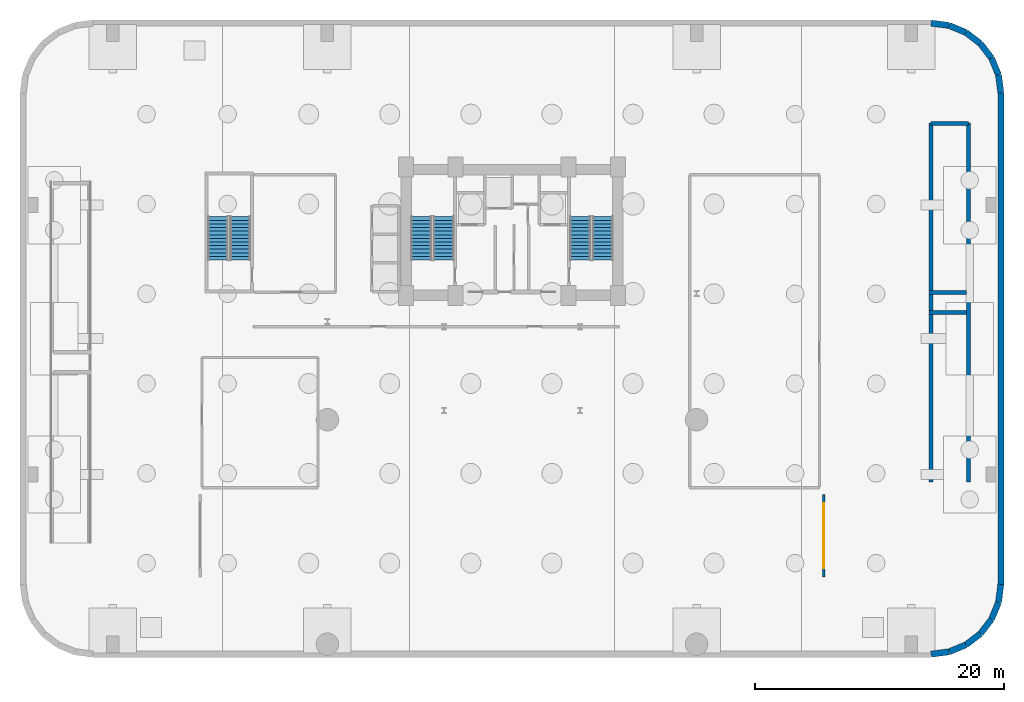
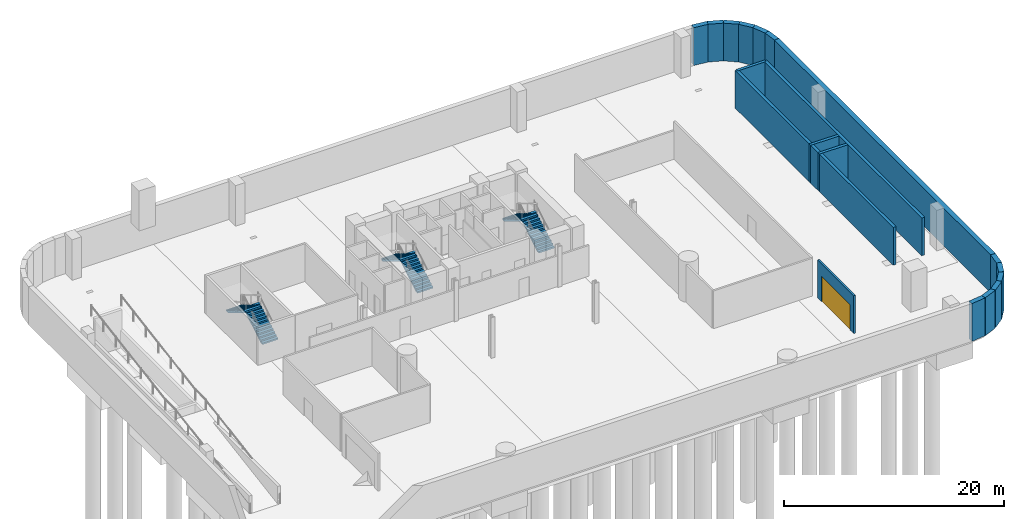
# One storey, part 5 of 8: 19 walls, 6 stair flights, 1 door, 1 opening, 3 elements without a shape of their own.
"""IFC4 building model written with IfcOpenShell, lengths in metres."""

import ifcopenshell
import ifcopenshell.guid

model = None  # the IFC model being written
_history = None  # IfcOwnerHistory: only IFC2X3 demands one
_inside = {}  # id of a spatial element -> (the spatial element, [elements in it])
_under = {}  # id of a project, library or spatial element -> (it, [spatial elements below it])
_declared = {}  # id of a project -> (the project, [libraries it declares])
_typed = {}  # id of a type object -> (the type object, [elements of that type])
_made_of = {}  # id of a material, layer set ... -> (it, [elements and type objects made of it])


def new_model(schema):
    """Start an empty IFC model of exactly this schema.

    Asked for "IFC4X3", IfcOpenShell would pick the latest addendum, in which some entities
    have other attributes; the version numbers below select the first issue.
    IFC2X3 requires an IfcOwnerHistory on every rooted entity: one is made here for all.
    """
    global model, _history
    if schema == "IFC4X3":
        model = ifcopenshell.file(schema_version=(4, 3, 0, 0))
    else:
        model = ifcopenshell.file(schema=schema)
    _inside.clear()
    _under.clear()
    _declared.clear()
    _typed.clear()
    _made_of.clear()
    _history = None
    if model.schema == "IFC2X3":
        org = make("IfcOrganization", Name="unknown")
        user = make(
            "IfcPersonAndOrganization",
            ThePerson=make("IfcPerson", FamilyName="unknown"),
            TheOrganization=org,
        )
        app = make(
            "IfcApplication",
            ApplicationDeveloper=org,
            Version="unknown",
            ApplicationFullName="unknown",
            ApplicationIdentifier="unknown",
        )
        _history = make(
            "IfcOwnerHistory",
            OwningUser=user,
            OwningApplication=app,
            ChangeAction="ADDED",
            CreationDate=0,
        )
    return model


def make(cls, **values):
    """One entity of the class cls with the attributes given. An attribute that is None is left unset."""
    return model.create_entity(
        cls, **{name: value for name, value in values.items() if value is not None}
    )


def rooted(cls, **values):
    """An entity with a GlobalId (a new one), such as an element, a storey or a relation."""
    return make(cls, GlobalId=ifcopenshell.guid.new(), OwnerHistory=_history, **values)


def si_unit(unit_type, name, prefix=None):
    """IfcSIUnit, for example si_unit("LENGTHUNIT", "METRE", prefix="MILLI")."""
    return make("IfcSIUnit", UnitType=unit_type, Prefix=prefix, Name=name)


def assignment(units):
    """IfcUnitAssignment: the units of a project."""
    return None if units is None else make("IfcUnitAssignment", Units=units)


def point(xyz):
    """IfcCartesianPoint."""
    return None if xyz is None else make("IfcCartesianPoint", Coordinates=xyz)


def direction(xyz):
    """IfcDirection."""
    return None if xyz is None else make("IfcDirection", DirectionRatios=xyz)


def frame(location, z_axis=None, x_axis=None):
    """IfcAxis2Placement3D, a coordinate frame: its origin and axes. An axis left out is left unset."""
    return make(
        "IfcAxis2Placement3D",
        Location=point(location),
        Axis=direction(z_axis),
        RefDirection=direction(x_axis),
    )


def frame_2d(location, x_axis=None):
    """IfcAxis2Placement2D, a coordinate frame in the plane: its origin and x axis."""
    return make(
        "IfcAxis2Placement2D", Location=point(location), RefDirection=direction(x_axis)
    )


def origin():
    """The frame at (0, 0, 0) with its axes left unset."""
    return frame((0.0, 0.0, 0.0))


def place(relative_to, where):
    """IfcLocalPlacement: puts the frame where relative to a parent placement (None: the world)."""
    return make(
        "IfcLocalPlacement", PlacementRelTo=relative_to, RelativePlacement=where
    )


def context(
    kind, dimensions, precision=None, world=None, true_north=None, identifier=None
):
    """IfcGeometricRepresentationContext, for example the 3D "Model" context."""
    return make(
        "IfcGeometricRepresentationContext",
        ContextIdentifier=identifier,
        ContextType=kind,
        CoordinateSpaceDimension=dimensions,
        Precision=precision,
        WorldCoordinateSystem=world,
        TrueNorth=true_north,
    )


def subcontext(parent, identifier, kind, view, scale=None):
    """IfcGeometricRepresentationSubContext, for example "Body" below "Model"."""
    return make(
        "IfcGeometricRepresentationSubContext",
        ContextIdentifier=identifier,
        ContextType=kind,
        ParentContext=parent,
        TargetScale=scale,
        TargetView=view,
    )


def project(units=None, contexts=None):
    """IfcProject with its units and contexts."""
    return rooted(
        "IfcProject",
        Name="project",
        RepresentationContexts=contexts,
        UnitsInContext=assignment(units),
    )


def spatial(cls, under=None, at=None, **own):
    """A site, building, storey or space (cls), placed at a placement, below another one or the project."""
    s = rooted(cls, ObjectPlacement=at, **own)
    if under is not None:
        _under.setdefault(under.id(), (under, []))[1].append(s)
    return s


def polyline(points):
    """IfcPolyline through the points."""
    return make("IfcPolyline", Points=[point(p) for p in points])


def profile(cls, at=None, kind="AREA", **sizes):
    """A parametric profile (cls). Its sizes go by their IFC names, for example OverallWidth=200.0."""
    return make(cls, ProfileType=kind, Position=at, **sizes)


def rectangle(**sizes):
    """IfcRectangleProfileDef."""
    return profile("IfcRectangleProfileDef", **sizes)


def outline(outer, holes=None, kind="AREA"):
    """IfcArbitraryClosedProfileDef: a profile drawn as a closed curve; with holes, ...WithVoids."""
    if holes is None:
        return make("IfcArbitraryClosedProfileDef", ProfileType=kind, OuterCurve=outer)
    return make(
        "IfcArbitraryProfileDefWithVoids",
        ProfileType=kind,
        OuterCurve=outer,
        InnerCurves=holes,
    )


def extrude(swept, where, along, depth):
    """IfcExtrudedAreaSolid: the profile swept, set in the frame where, extruded along a direction by depth."""
    return make(
        "IfcExtrudedAreaSolid",
        SweptArea=swept,
        Position=where,
        ExtrudedDirection=direction(along),
        Depth=depth,
    )


def shape(context_of_items, identifier, shape_type, items):
    """IfcShapeRepresentation: the items that make up one representation, for example the "Body"."""
    return make(
        "IfcShapeRepresentation",
        ContextOfItems=context_of_items,
        RepresentationIdentifier=identifier,
        RepresentationType=shape_type,
        Items=items,
    )


def material(Name=None, Category=None):
    """IfcMaterial."""
    return make("IfcMaterial", Name=Name, Category=Category)


def layer(
    of_material, thickness, ventilated=None, Name=None, Category=None, Priority=None
):
    """IfcMaterialLayer: one layer of a wall or slab, of a material (None: an air gap)."""
    return make(
        "IfcMaterialLayer",
        Material=of_material,
        LayerThickness=thickness,
        IsVentilated=ventilated,
        Name=Name,
        Category=Category,
        Priority=Priority,
    )


def layer_set(layers, Name=None):
    """IfcMaterialLayerSet."""
    return make("IfcMaterialLayerSet", MaterialLayers=layers, LayerSetName=Name)


def made_of(thing, what):
    """Note that an element or type object is made of a material, layer set ...; save() writes the relation."""
    if what is not None:
        _made_of.setdefault(what.id(), (what, []))[1].append(thing)
    return thing


def type_object(cls, material=None, **own):
    """A type object (cls), such as IfcWallType, which elements share."""
    return made_of(rooted(cls, **own), material)


def element(
    cls,
    number,
    at=None,
    inside=None,
    cuts=None,
    type_object=None,
    material=None,
    context=None,
    identifier="Body",
    shape_type=None,
    held_by="IfcProductDefinitionShape",
    body=None,
    shapes=None,
    **own,
):
    """One element of the class cls, such as IfcWall. Its Tag is "e" and its number.

    at: its placement. inside: the storey or other place that contains it. cuts: it is an
    opening in that element (IfcRelVoidsElement). A single representation is given by context,
    identifier, shape_type and body (its items); several are given by shapes. held_by: the class
    of the entity that holds the representations. save() writes the other relations.
    """
    e = rooted(cls, Tag="e%d" % number, ObjectPlacement=at, **own)
    if body is not None:
        shapes = [shape(context, identifier, shape_type, body)]
    if shapes is not None:
        e.Representation = make(held_by, Representations=shapes)
    if inside is not None:
        _inside.setdefault(inside.id(), (inside, []))[1].append(e)
    if cuts is not None:
        rooted(
            "IfcRelVoidsElement", RelatingBuildingElement=cuts, RelatedOpeningElement=e
        )
    if type_object is not None:
        _typed.setdefault(type_object.id(), (type_object, []))[1].append(e)
    return made_of(e, material)


def fill(opening, filler):
    """IfcRelFillsElement: the door or window that sits in an opening."""
    return rooted(
        "IfcRelFillsElement",
        RelatingOpeningElement=opening,
        RelatedBuildingElement=filler,
    )


def aggregate(whole, parts):
    """IfcRelAggregates: a whole, such as a stair, and the parts it consists of."""
    return rooted("IfcRelAggregates", RelatingObject=whole, RelatedObjects=parts)


def save(model, path):
    """Write the relations noted so far, then the file.

    IfcRelAggregates (storeys below a building ...), IfcRelContainedInSpatialStructure (elements
    in a storey), IfcRelDefinesByType, IfcRelAssociatesMaterial and IfcRelDeclares: one each for
    every whole, place, type object, material and project.
    """
    for whole, parts in _under.values():
        aggregate(whole, parts)
    for where, things in _inside.values():
        rooted(
            "IfcRelContainedInSpatialStructure",
            RelatedElements=things,
            RelatingStructure=where,
        )
    for kind, things in _typed.values():
        rooted("IfcRelDefinesByType", RelatedObjects=things, RelatingType=kind)
    for what, things in _made_of.values():
        rooted("IfcRelAssociatesMaterial", RelatedObjects=things, RelatingMaterial=what)
    for by, libraries in _declared.values():
        rooted("IfcRelDeclares", RelatingContext=by, RelatedDefinitions=libraries)
    model.write(path)


model = new_model("IFC4")

# Units and contexts
model_context = context("Model", 3, precision=1e-05, world=origin(), true_north=direction((0.0, 1.0)))
body_context = subcontext(model_context, "Body", "Model", "MODEL_VIEW")
ifc_project = project(units=[si_unit("LENGTHUNIT", "METRE"), si_unit("AREAUNIT", "SQUARE_METRE"), si_unit("VOLUMEUNIT", "CUBIC_METRE"), si_unit("PLANEANGLEUNIT", "RADIAN"), si_unit("MASSUNIT", "GRAM", prefix="KILO")], contexts=[model_context])

# Site, building, storey
site_placement = place(None, origin())
site = spatial("IfcSite", under=ifc_project, at=site_placement, CompositionType="ELEMENT")
building_placement = place(site_placement, origin())
building = spatial("IfcBuilding", under=site, at=building_placement, Name="Varnelok Gate Tower", CompositionType="ELEMENT")
storey_placement = place(building_placement, frame((0.0, 0.0, -9.0)))
storey = spatial("IfcBuildingStorey", under=building, at=storey_placement, Name="B02", CompositionType="ELEMENT", Elevation=-9.0)

# Wall, opening, door
ifc_material_1 = material(Name="Concrete C35/45", Category="concrete")
ifc_layer_1 = layer(ifc_material_1, 0.199951171875)
ifc_layer_set_1 = layer_set([ifc_layer_1], Name="Concrete C35/45")
wall_type_1 = type_object("IfcWallType", Name="PW-SHAFT-200", PredefinedType="PARTITIONING", material=ifc_layer_set_1)
wall_1_placement = place(storey_placement, frame((64.199951171875, 6.199951171875, 0.0), z_axis=(0.0, 0.0, 1.0), x_axis=(0.0, 1.0, 0.0)))
wall_1 = element("IfcWall", 1, at=wall_1_placement, inside=storey, type_object=wall_type_1, Name="B02 Car Park Fire Zone Barrier 2", PredefinedType="PARTITIONING", context=body_context, shape_type="SweptSolid", body=[
    extrude(rectangle(XDim=6.60009765625, YDim=0.199951171875, at=frame_2d((3.300048828125, 0.0))), origin(), (0.0, 0.0, 1.0), 4.199951171875),
])
opening_placement = place(wall_1_placement, frame((0.699951171875, 0.0, 0.0)))
opening = element("IfcOpeningElement", 2, at=opening_placement, cuts=wall_1, Name="Opening VG-3", PredefinedType="OPENING", context=body_context, shape_type="SweptSolid", body=[
    extrude(rectangle(XDim=5.199951171875, YDim=2.800048828125, at=frame_2d((2.60009765625, 1.39990234375))), frame((0.0, 0.10986328125, 0.0), z_axis=(0.0, -1.0, 0.0), x_axis=(1.0, 0.0, 0.0)), (0.0, 0.0, 1.0), 0.219970703125),
])
ifc_material_2 = material(Name="Galvanized Steel Grade S350GD", Category="steel")
door_type = type_object("IfcDoorType", Name="DR-GATE-5200", OperationType="SLIDING_TO_LEFT", PredefinedType="GATE", material=ifc_material_2)
door_placement = place(opening_placement, origin())
door = element("IfcDoor", 3, at=door_placement, inside=storey, type_object=door_type, Name="B02 Car Park Fire Zone Gate", OperationType="SLIDING_TO_LEFT", OverallHeight=2.800048828125, OverallWidth=5.199951171875, PredefinedType="GATE", context=body_context, shape_type="SweptSolid", body=[
    extrude(rectangle(XDim=5.199951171875, YDim=2.800048828125, at=frame_2d((2.60009765625, 1.39990234375))), frame((0.0, 0.02490234375, 0.0), z_axis=(0.0, -1.0, 0.0), x_axis=(1.0, 0.0, 0.0)), (0.0, 0.0, 1.0), 0.050048828125),
])
fill(opening, door)

# Walls
ifc_material_3 = material(Name="Concrete C50/60", Category="concrete")
ifc_layer_2 = layer(ifc_material_3, 0.5)
ifc_layer_set_2 = layer_set([ifc_layer_2], Name="Concrete C50/60")
wall_type_2 = type_object("IfcWallType", Name="SW-RET-500", PredefinedType="SOLIDWALL", material=ifc_layer_set_2)
for number, where, z_axis, x_axis, name in (
    (4, (74.24951171875, 0.19091796875, 0.0), (0.0, 0.0, 1.0), (-0.991436666421, -0.130588423975, 0.0), "B02 Perimeter Retaining Wall 9"),
    (5, (75.60009765625, 0.750244140625, 0.0), (0.0, 0.0, 1.0), (-0.923904886994, -0.382622215492, 0.0), "B02 Perimeter Retaining Wall 10"),
):
    element("IfcWall", number, at=place(storey_placement, frame(where, z_axis=z_axis, x_axis=x_axis)), inside=storey, type_object=wall_type_2, Name=name, PredefinedType="SOLIDWALL", context=body_context, shape_type="SweptSolid", body=[
        extrude(rectangle(XDim=1.4619140625, YDim=0.5, at=frame_2d((0.73095703125, 0.0))), origin(), (0.0, 0.0, 1.0), 4.199951171875),
    ])
wall_2_placement = place(storey_placement, frame((76.759765625, 1.64013671875, 0.0), z_axis=(0.0, 0.0, 1.0), x_axis=(-0.793337464833, -0.608782117751, 0.0)))
element("IfcWall", 6, at=wall_2_placement, inside=storey, type_object=wall_type_2, Name="B02 Perimeter Retaining Wall 11", PredefinedType="SOLIDWALL", context=body_context, shape_type="SweptSolid", body=[
    extrude(rectangle(XDim=1.461669921875, YDim=0.5, at=frame_2d((0.73095703125, 0.0))), origin(), (0.0, 0.0, 1.0), 4.199951171875),
])
for number, where, z_axis, x_axis, name in (
    (7, (77.649658203125, 2.800048828125, 0.0), (0.0, 0.0, 1.0), (-0.608701460465, -0.793399352173, 0.0), "B02 Perimeter Retaining Wall 12"),
    (8, (78.209228515625, 4.150634765625, 0.0), (0.0, 0.0, 1.0), (-0.382764762462, -0.923845840288, 0.0), "B02 Perimeter Retaining Wall 13"),
    (9, (78.39990234375, 5.60009765625, 0.0), (0.0, 0.0, 1.0), (-0.130424273524, -0.991458273895, 0.0), "B02 Perimeter Retaining Wall 14"),
):
    element("IfcWall", number, at=place(storey_placement, frame(where, z_axis=z_axis, x_axis=x_axis)), inside=storey, type_object=wall_type_2, Name=name, PredefinedType="SOLIDWALL", context=body_context, shape_type="SweptSolid", body=[
        extrude(rectangle(XDim=1.4619140625, YDim=0.5, at=frame_2d((0.73095703125, 0.0))), origin(), (0.0, 0.0, 1.0), 4.199951171875),
    ])
wall_3_placement = place(storey_placement, frame((78.39990234375, 45.0, 0.0), z_axis=(0.0, 0.0, 1.0), x_axis=(0.0, -1.0, 0.0)))
element("IfcWall", 10, at=wall_3_placement, inside=storey, type_object=wall_type_2, Name="B02 Perimeter Retaining Wall 15", PredefinedType="SOLIDWALL", context=body_context, shape_type="SweptSolid", body=[
    extrude(rectangle(XDim=39.39990234375, YDim=0.5, at=frame_2d((19.699951171875, 0.0))), origin(), (0.0, 0.0, 1.0), 4.199951171875),
])
for number, where, z_axis, x_axis, name in (
    (11, (78.209228515625, 46.449462890625, 0.0), (0.0, 0.0, 1.0), (0.130424273524, -0.991458273895, 0.0), "B02 Perimeter Retaining Wall 16"),
    (12, (77.649658203125, 47.800048828125, 0.0), (0.0, 0.0, 1.0), (0.382764762462, -0.923845840288, 0.0), "B02 Perimeter Retaining Wall 17"),
):
    element("IfcWall", number, at=place(storey_placement, frame(where, z_axis=z_axis, x_axis=x_axis)), inside=storey, type_object=wall_type_2, Name=name, PredefinedType="SOLIDWALL", context=body_context, shape_type="SweptSolid", body=[
        extrude(rectangle(XDim=1.4619140625, YDim=0.5, at=frame_2d((0.73095703125, 0.0))), origin(), (0.0, 0.0, 1.0), 4.199951171875),
    ])
for number, where, z_axis, x_axis, name in (
    (13, (76.759765625, 48.959716796875, 0.0), (0.0, 0.0, 1.0), (0.608782117751, -0.793337464833, 0.0), "B02 Perimeter Retaining Wall 18"),
    (14, (75.60009765625, 49.849609375, 0.0), (0.0, 0.0, 1.0), (0.793337464833, -0.608782117751, 0.0), "B02 Perimeter Retaining Wall 19"),
):
    element("IfcWall", number, at=place(storey_placement, frame(where, z_axis=z_axis, x_axis=x_axis)), inside=storey, type_object=wall_type_2, Name=name, PredefinedType="SOLIDWALL", context=body_context, shape_type="SweptSolid", body=[
        extrude(rectangle(XDim=1.461669921875, YDim=0.5, at=frame_2d((0.73095703125, 0.0))), origin(), (0.0, 0.0, 1.0), 4.199951171875),
    ])
for number, where, z_axis, x_axis, name in (
    (15, (74.24951171875, 50.4091796875, 0.0), (0.0, 0.0, 1.0), (0.923845840288, -0.382764762462, 0.0), "B02 Perimeter Retaining Wall 20"),
    (16, (72.800048828125, 50.60009765625, 0.0), (0.0, 0.0, 1.0), (0.991436666421, -0.130588423975, 0.0), "B02 Perimeter Retaining Wall 21"),
):
    element("IfcWall", number, at=place(storey_placement, frame(where, z_axis=z_axis, x_axis=x_axis)), inside=storey, type_object=wall_type_2, Name=name, PredefinedType="SOLIDWALL", context=body_context, shape_type="SweptSolid", body=[
        extrude(rectangle(XDim=1.4619140625, YDim=0.5, at=frame_2d((0.73095703125, 0.0))), origin(), (0.0, 0.0, 1.0), 4.199951171875),
    ])
ifc_material_4 = material(Name="Concrete C60/75", Category="concrete")
ifc_layer_3 = layer(ifc_material_4, 0.300048828125)
ifc_layer_set_3 = layer_set([ifc_layer_3], Name="Concrete C60/75")
wall_type_3 = type_object("IfcWallType", Name="SW-SHAFT-300", PredefinedType="SHEAR", material=ifc_layer_set_3)
for number, where, z_axis, x_axis, name in (
    (17, (72.64990234375, 27.39990234375, 0.0), (0.0, 0.0, 1.0), (1.0, 0.0, 0.0), "B02 East Ramp Support Wall 1"),
    (18, (72.64990234375, 29.0, 0.0), (0.0, 0.0, 1.0), (1.0, 0.0, 0.0), "B02 East Ramp Support Wall 2"),
):
    element("IfcWall", number, at=place(storey_placement, frame(where, z_axis=z_axis, x_axis=x_axis)), inside=storey, type_object=wall_type_3, Name=name, PredefinedType="SHEAR", context=body_context, shape_type="SweptSolid", body=[
        extrude(rectangle(XDim=3.0, YDim=0.300048828125, at=frame_2d((1.5, 0.0))), origin(), (0.0, 0.0, 1.0), 4.199951171875),
    ])
for number, where, z_axis, x_axis, name in (
    (19, (75.800048828125, 13.800048828125, 0.0), (0.0, 0.0, 1.0), (0.0, 1.0, 0.0), "B02 East Ramp East Support Wall"),
    (20, (72.800048828125, 13.800048828125, 0.0), (0.0, 0.0, 1.0), (0.0, 1.0, 0.0), "B02 East Ramp West Support Wall"),
):
    element("IfcWall", number, at=place(storey_placement, frame(where, z_axis=z_axis, x_axis=x_axis)), inside=storey, type_object=wall_type_3, Name=name, PredefinedType="SHEAR", context=body_context, shape_type="SweptSolid", body=[
        extrude(rectangle(XDim=28.800048828125, YDim=0.300048828125, at=frame_2d((14.39990234375, 0.0))), origin(), (0.0, 0.0, 1.0), 4.199951171875),
    ])
wall_4_placement = place(storey_placement, frame((72.800048828125, 42.550048828125, 0.0), z_axis=(0.0, 0.0, 1.0), x_axis=(1.0, 0.0, 0.0)))
element("IfcWall", 21, at=wall_4_placement, inside=storey, type_object=wall_type_3, Name="B02 East Ramp Top Header Support Wall", PredefinedType="SHEAR", context=body_context, shape_type="SweptSolid", body=[
    extrude(rectangle(XDim=3.0, YDim=0.300048828125, at=frame_2d((1.5, 0.0))), origin(), (0.0, 0.0, 1.0), 4.199951171875),
])

# Stair, stair flights
stair_type = type_object("IfcStairType", Name="STR-CORE-1650", PredefinedType="HALF_TURN_STAIR", material=ifc_material_3)
stair_1_placement = place(storey_placement, origin())
stair_1 = element("IfcStair", 22, at=stair_1_placement, inside=storey, type_object=stair_type, Name="B02 Exit Stair ST-1", PredefinedType="HALF_TURN_STAIR")
stair_flight_type = type_object("IfcStairFlightType", Name="SFL-CORE-1650", PredefinedType="STRAIGHT", material=ifc_material_3)
stair_flight_1_placement = place(storey_placement, frame((33.72509765625, 31.60009765625, 0.0), z_axis=(0.0, 0.0, 1.0), x_axis=(0.0, 1.0, 0.0)))
stair_flight_1 = element("IfcStairFlight", 23, at=stair_flight_1_placement, type_object=stair_flight_type, Name="ST-1 flight 1", NumberOfRisers=13, NumberOfTreads=12, PredefinedType="STRAIGHT", RiserHeight=0.173076923, TreadLength=0.29, context=body_context, shape_type="SweptSolid", body=[
    extrude(outline(polyline([(0.0, 0.0), (0.0, 0.173095703125), (0.2900390625, 0.173095703125), (0.2900390625, 0.34619140625), (0.580078125, 0.34619140625), (0.580078125, 0.519287109375), (0.8701171875, 0.519287109375), (0.8701171875, 0.6923828125), (1.159912109375, 0.6923828125), (1.159912109375, 0.865478515625), (1.449951171875, 0.865478515625), (1.449951171875, 1.03857421875), (1.739990234375, 1.03857421875), (1.739990234375, 1.21142578125), (2.030029296875, 1.21142578125), (2.030029296875, 1.384521484375), (2.320068359375, 1.384521484375), (2.320068359375, 1.5576171875), (2.610107421875, 1.5576171875), (2.610107421875, 1.730712890625), (2.89990234375, 1.730712890625), (2.89990234375, 1.90380859375), (3.18994140625, 1.90380859375), (3.18994140625, 2.076904296875), (3.47998046875, 2.076904296875), (3.47998046875, 2.25), (3.47998046875, 1.90234375), (0.29248046875, 0.0), (0.0, 0.0)])), frame((0.0, 0.824951171875, 0.0), z_axis=(0.0, -1.0, 0.0), x_axis=(1.0, 0.0, 0.0)), (0.0, 0.0, 1.0), 1.64990234375),
])
stair_flight_2_placement = place(storey_placement, frame((31.925048828125, 35.080078125, 2.25), z_axis=(0.0, 0.0, 1.0), x_axis=(0.0, -1.0, 0.0)))
stair_flight_2 = element("IfcStairFlight", 24, at=stair_flight_2_placement, type_object=stair_flight_type, Name="ST-1 flight 2", NumberOfRisers=13, NumberOfTreads=12, PredefinedType="STRAIGHT", RiserHeight=0.173076923, TreadLength=0.29, context=body_context, shape_type="SweptSolid", body=[
    extrude(outline(polyline([(0.0, 0.0), (0.0, 0.173095703125), (0.2900390625, 0.173095703125), (0.2900390625, 0.34619140625), (0.580078125, 0.34619140625), (0.580078125, 0.519287109375), (0.8701171875, 0.519287109375), (0.8701171875, 0.6923828125), (1.159912109375, 0.6923828125), (1.159912109375, 0.865478515625), (1.449951171875, 0.865478515625), (1.449951171875, 1.03857421875), (1.739990234375, 1.03857421875), (1.739990234375, 1.21142578125), (2.030029296875, 1.21142578125), (2.030029296875, 1.384521484375), (2.320068359375, 1.384521484375), (2.320068359375, 1.5576171875), (2.610107421875, 1.5576171875), (2.610107421875, 1.730712890625), (2.89990234375, 1.730712890625), (2.89990234375, 1.90380859375), (3.18994140625, 1.90380859375), (3.18994140625, 2.076904296875), (3.47998046875, 2.076904296875), (3.47998046875, 2.25), (3.47998046875, 1.90234375), (0.29248046875, 0.0), (0.0, 0.0)])), frame((0.0, 0.824951171875, 0.0), z_axis=(0.0, -1.0, 0.0), x_axis=(1.0, 0.0, 0.0)), (0.0, 0.0, 1.0), 1.64990234375),
])
aggregate(stair_1, [stair_flight_1, stair_flight_2])

stair_2_placement = place(storey_placement, origin())
stair_2 = element("IfcStair", 25, at=stair_2_placement, inside=storey, type_object=stair_type, Name="B02 Exit Stair ST-2", PredefinedType="HALF_TURN_STAIR")
stair_flight_3_placement = place(storey_placement, frame((46.47509765625, 31.60009765625, 0.0), z_axis=(0.0, 0.0, 1.0), x_axis=(0.0, 1.0, 0.0)))
stair_flight_3 = element("IfcStairFlight", 26, at=stair_flight_3_placement, type_object=stair_flight_type, Name="ST-2 flight 1", NumberOfRisers=13, NumberOfTreads=12, PredefinedType="STRAIGHT", RiserHeight=0.173076923, TreadLength=0.29, context=body_context, shape_type="SweptSolid", body=[
    extrude(outline(polyline([(0.0, 0.0), (0.0, 0.173095703125), (0.2900390625, 0.173095703125), (0.2900390625, 0.34619140625), (0.580078125, 0.34619140625), (0.580078125, 0.519287109375), (0.8701171875, 0.519287109375), (0.8701171875, 0.6923828125), (1.159912109375, 0.6923828125), (1.159912109375, 0.865478515625), (1.449951171875, 0.865478515625), (1.449951171875, 1.03857421875), (1.739990234375, 1.03857421875), (1.739990234375, 1.21142578125), (2.030029296875, 1.21142578125), (2.030029296875, 1.384521484375), (2.320068359375, 1.384521484375), (2.320068359375, 1.5576171875), (2.610107421875, 1.5576171875), (2.610107421875, 1.730712890625), (2.89990234375, 1.730712890625), (2.89990234375, 1.90380859375), (3.18994140625, 1.90380859375), (3.18994140625, 2.076904296875), (3.47998046875, 2.076904296875), (3.47998046875, 2.25), (3.47998046875, 1.90234375), (0.29248046875, 0.0), (0.0, 0.0)])), frame((0.0, 0.824951171875, 0.0), z_axis=(0.0, -1.0, 0.0), x_axis=(1.0, 0.0, 0.0)), (0.0, 0.0, 1.0), 1.64990234375),
])
stair_flight_4_placement = place(storey_placement, frame((44.675048828125, 35.080078125, 2.25), z_axis=(0.0, 0.0, 1.0), x_axis=(0.0, -1.0, 0.0)))
stair_flight_4 = element("IfcStairFlight", 27, at=stair_flight_4_placement, type_object=stair_flight_type, Name="ST-2 flight 2", NumberOfRisers=13, NumberOfTreads=12, PredefinedType="STRAIGHT", RiserHeight=0.173076923, TreadLength=0.29, context=body_context, shape_type="SweptSolid", body=[
    extrude(outline(polyline([(0.0, 0.0), (0.0, 0.173095703125), (0.2900390625, 0.173095703125), (0.2900390625, 0.34619140625), (0.580078125, 0.34619140625), (0.580078125, 0.519287109375), (0.8701171875, 0.519287109375), (0.8701171875, 0.6923828125), (1.159912109375, 0.6923828125), (1.159912109375, 0.865478515625), (1.449951171875, 0.865478515625), (1.449951171875, 1.03857421875), (1.739990234375, 1.03857421875), (1.739990234375, 1.21142578125), (2.030029296875, 1.21142578125), (2.030029296875, 1.384521484375), (2.320068359375, 1.384521484375), (2.320068359375, 1.5576171875), (2.610107421875, 1.5576171875), (2.610107421875, 1.730712890625), (2.89990234375, 1.730712890625), (2.89990234375, 1.90380859375), (3.18994140625, 1.90380859375), (3.18994140625, 2.076904296875), (3.47998046875, 2.076904296875), (3.47998046875, 2.25), (3.47998046875, 1.90234375), (0.29248046875, 0.0), (0.0, 0.0)])), frame((0.0, 0.824951171875, 0.0), z_axis=(0.0, -1.0, 0.0), x_axis=(1.0, 0.0, 0.0)), (0.0, 0.0, 1.0), 1.64990234375),
])
aggregate(stair_2, [stair_flight_3, stair_flight_4])

stair_3_placement = place(storey_placement, origin())
stair_3 = element("IfcStair", 28, at=stair_3_placement, inside=storey, type_object=stair_type, Name="B02 Podium Exit Stair ST-3", PredefinedType="HALF_TURN_STAIR")
stair_flight_5_placement = place(storey_placement, frame((17.425048828125, 31.60009765625, 0.0), z_axis=(0.0, 0.0, 1.0), x_axis=(0.0, 1.0, 0.0)))
stair_flight_5 = element("IfcStairFlight", 29, at=stair_flight_5_placement, type_object=stair_flight_type, Name="ST-3 flight 1", NumberOfRisers=13, NumberOfTreads=12, PredefinedType="STRAIGHT", RiserHeight=0.173076923, TreadLength=0.29, context=body_context, shape_type="SweptSolid", body=[
    extrude(outline(polyline([(0.0, 0.0), (0.0, 0.173095703125), (0.2900390625, 0.173095703125), (0.2900390625, 0.34619140625), (0.580078125, 0.34619140625), (0.580078125, 0.519287109375), (0.8701171875, 0.519287109375), (0.8701171875, 0.6923828125), (1.159912109375, 0.6923828125), (1.159912109375, 0.865478515625), (1.449951171875, 0.865478515625), (1.449951171875, 1.03857421875), (1.739990234375, 1.03857421875), (1.739990234375, 1.21142578125), (2.030029296875, 1.21142578125), (2.030029296875, 1.384521484375), (2.320068359375, 1.384521484375), (2.320068359375, 1.5576171875), (2.610107421875, 1.5576171875), (2.610107421875, 1.730712890625), (2.89990234375, 1.730712890625), (2.89990234375, 1.90380859375), (3.18994140625, 1.90380859375), (3.18994140625, 2.076904296875), (3.47998046875, 2.076904296875), (3.47998046875, 2.25), (3.47998046875, 1.90234375), (0.29248046875, 0.0), (0.0, 0.0)])), frame((0.0, 0.824951171875, 0.0), z_axis=(0.0, -1.0, 0.0), x_axis=(1.0, 0.0, 0.0)), (0.0, 0.0, 1.0), 1.64990234375),
])
stair_flight_6_placement = place(storey_placement, frame((15.625, 35.080078125, 2.25), z_axis=(0.0, 0.0, 1.0), x_axis=(0.0, -1.0, 0.0)))
stair_flight_6 = element("IfcStairFlight", 30, at=stair_flight_6_placement, type_object=stair_flight_type, Name="ST-3 flight 2", NumberOfRisers=13, NumberOfTreads=12, PredefinedType="STRAIGHT", RiserHeight=0.173076923, TreadLength=0.29, context=body_context, shape_type="SweptSolid", body=[
    extrude(outline(polyline([(0.0, 0.0), (0.0, 0.173095703125), (0.2900390625, 0.173095703125), (0.2900390625, 0.34619140625), (0.580078125, 0.34619140625), (0.580078125, 0.519287109375), (0.8701171875, 0.519287109375), (0.8701171875, 0.6923828125), (1.159912109375, 0.6923828125), (1.159912109375, 0.865478515625), (1.449951171875, 0.865478515625), (1.449951171875, 1.03857421875), (1.739990234375, 1.03857421875), (1.739990234375, 1.21142578125), (2.030029296875, 1.21142578125), (2.030029296875, 1.384521484375), (2.320068359375, 1.384521484375), (2.320068359375, 1.5576171875), (2.610107421875, 1.5576171875), (2.610107421875, 1.730712890625), (2.89990234375, 1.730712890625), (2.89990234375, 1.90380859375), (3.18994140625, 1.90380859375), (3.18994140625, 2.076904296875), (3.47998046875, 2.076904296875), (3.47998046875, 2.25), (3.47998046875, 1.90234375), (0.29248046875, 0.0), (0.0, 0.0)])), frame((0.0, 0.824951171875, 0.0), z_axis=(0.0, -1.0, 0.0), x_axis=(1.0, 0.0, 0.0)), (0.0, 0.0, 1.0), 1.64990234375),
])
aggregate(stair_3, [stair_flight_5, stair_flight_6])

save(model, "model.ifc")
